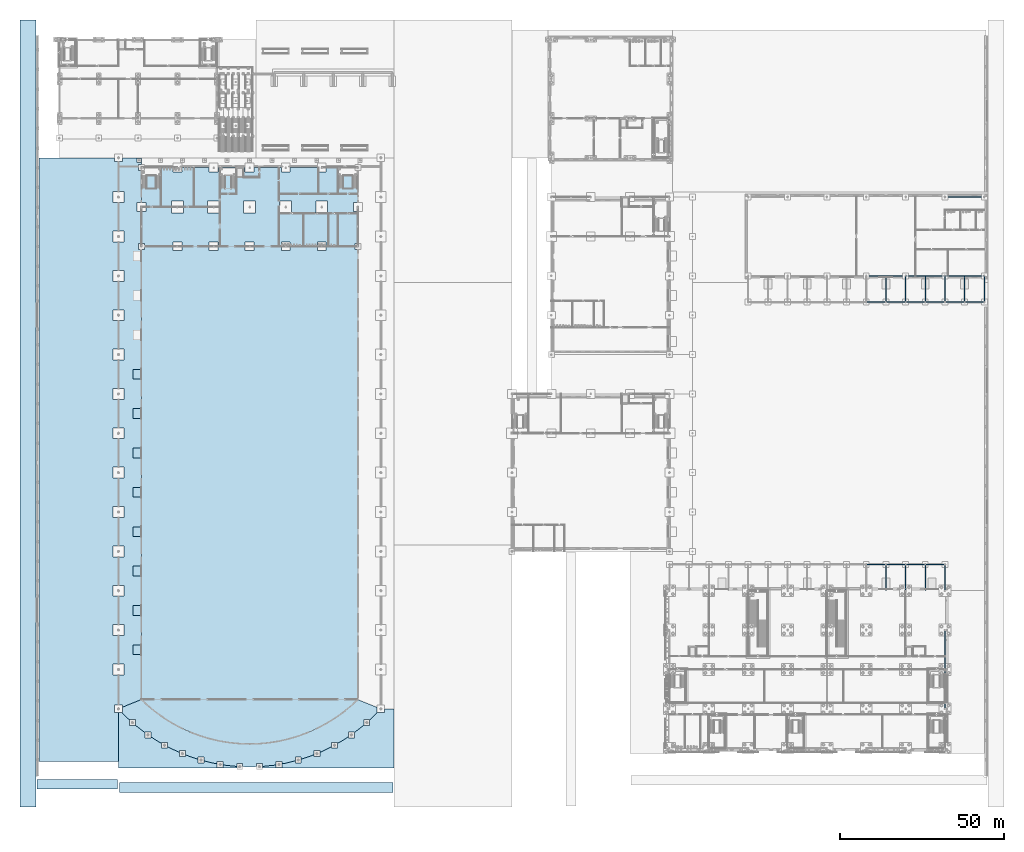
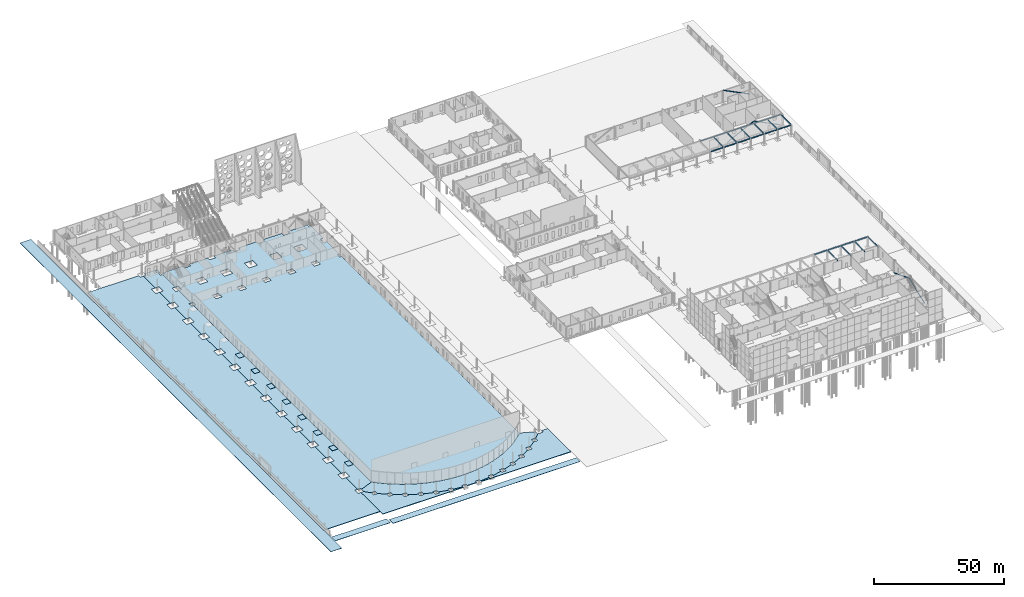
# One storey, part 54 of 132: 23 beams, 9 slabs, 8 plates, 5 members.
"""IFC4 building model written with IfcOpenShell, lengths in metres."""

from ifc_helpers import new_model, si_unit, direction, frame, origin, origin_2d, place, context, subcontext, project, spatial, polyline, rectangle, hollow_rectangle, i_section, outline, extrude, material, layer, layer_set, material_profile, profile_set, type_object, element, save


model = new_model("IFC4")

# Units and contexts
model_context = context("Model", 3, precision=1e-05, world=origin(), true_north=direction((0.0, 1.0)))
body_context = subcontext(model_context, "Body", "Model", "MODEL_VIEW")
ifc_project = project(units=[si_unit("LENGTHUNIT", "METRE"), si_unit("AREAUNIT", "SQUARE_METRE"), si_unit("VOLUMEUNIT", "CUBIC_METRE"), si_unit("PLANEANGLEUNIT", "RADIAN"), si_unit("MASSUNIT", "GRAM", prefix="KILO")], contexts=[model_context])

# Site, building, storey
site_placement = place(None, origin())
site = spatial("IfcSite", under=ifc_project, at=site_placement, CompositionType="ELEMENT")
building_placement = place(site_placement, origin())
building = spatial("IfcBuilding", under=site, at=building_placement, Name="Ravi Spectrum Wholesale Market", CompositionType="ELEMENT")
storey_placement = place(building_placement, origin())
storey = spatial("IfcBuildingStorey", under=building, at=storey_placement, Name="L00", CompositionType="ELEMENT", Elevation=0.0)

# Beams
ifc_material_1 = material(Name="Steel S355", Category="steel")
ifc_material_profile_1 = material_profile(ifc_material_1, i_section(OverallWidth=0.169921875, OverallDepth=0.360107421875, WebThickness=0.008056640625, FlangeThickness=0.0126953125, at=origin_2d()))
ifc_profile_set_1 = profile_set([ifc_material_profile_1], Name="Steel S355")
beam_type = type_object("IfcBeamType", Name="IPE 360 beam", PredefinedType="BEAM", material=ifc_profile_set_1)
beam_1_placement = place(storey_placement, frame((264.0, 66.10009765625, 4.800048828125), z_axis=(0.0, 1.0, 0.0), x_axis=(-1.0, 0.0, 0.0)))
element("IfcBeam", 1, at=beam_1_placement, inside=storey, type_object=beam_type, Name="CS-BM-L00-012", PredefinedType="BEAM", context=body_context, shape_type="SweptSolid", body=[
    extrude(i_section(OverallWidth=0.169921875, OverallDepth=0.360107421875, WebThickness=0.008056640625, FlangeThickness=0.0126953125, at=origin_2d()), origin(), (0.0, 0.0, 1.0), 7.72216796875),
])
beam_2_placement = place(storey_placement, frame((270.0, 66.169921875, 4.800048828125), z_axis=(0.0, 1.0, 0.0), x_axis=(-1.0, 0.0, 0.0)))
element("IfcBeam", 2, at=beam_2_placement, inside=storey, type_object=beam_type, Name="CS-BM-L00-013", PredefinedType="BEAM", context=body_context, shape_type="SweptSolid", body=[
    extrude(i_section(OverallWidth=0.169921875, OverallDepth=0.360107421875, WebThickness=0.008056640625, FlangeThickness=0.0126953125, at=origin_2d()), origin(), (0.0, 0.0, 1.0), 7.65234375),
])
beam_3_placement = place(storey_placement, frame((276.0, 66.10009765625, 4.800048828125), z_axis=(0.0, 1.0, 0.0), x_axis=(-1.0, 0.0, 0.0)))
element("IfcBeam", 3, at=beam_3_placement, inside=storey, type_object=beam_type, Name="CS-BM-L00-014", PredefinedType="BEAM", context=body_context, shape_type="SweptSolid", body=[
    extrude(i_section(OverallWidth=0.169921875, OverallDepth=0.360107421875, WebThickness=0.008056640625, FlangeThickness=0.0126953125, at=origin_2d()), origin(), (0.0, 0.0, 1.0), 7.72216796875),
])
beam_4_placement = place(storey_placement, frame((282.0, 66.169921875, 4.800048828125), z_axis=(0.0, 1.0, 0.0), x_axis=(-1.0, 0.0, 0.0)))
element("IfcBeam", 4, at=beam_4_placement, inside=storey, type_object=beam_type, Name="CS-BM-L00-015", PredefinedType="BEAM", context=body_context, shape_type="SweptSolid", body=[
    extrude(i_section(OverallWidth=0.169921875, OverallDepth=0.360107421875, WebThickness=0.008056640625, FlangeThickness=0.0126953125, at=origin_2d()), origin(), (0.0, 0.0, 1.0), 7.65234375),
])
for number, where, z_axis, x_axis, name in (
    (5, (258.177734375, 74.0, 4.800048828125), (1.0, 0.0, 0.0), (0.0, 1.0, 0.0), "CS-BM-L00-026"),
    (6, (264.177734375, 74.0, 4.800048828125), (1.0, 0.0, 0.0), (0.0, 1.0, 0.0), "CS-BM-L00-027"),
    (7, (270.177734375, 74.0, 4.800048828125), (1.0, 0.0, 0.0), (0.0, 1.0, 0.0), "CS-BM-L00-028"),
    (8, (276.177734375, 74.0, 4.800048828125), (1.0, 0.0, 0.0), (0.0, 1.0, 0.0), "CS-BM-L00-029"),
):
    element("IfcBeam", number, at=place(storey_placement, frame(where, z_axis=z_axis, x_axis=x_axis)), inside=storey, type_object=beam_type, Name=name, PredefinedType="BEAM", context=body_context, shape_type="SweptSolid", body=[
        extrude(i_section(OverallWidth=0.169921875, OverallDepth=0.360107421875, WebThickness=0.008056640625, FlangeThickness=0.0126953125, at=origin_2d()), origin(), (0.0, 0.0, 1.0), 5.64453125),
    ])
for number, where, z_axis, x_axis, name in (
    (9, (258.14990234375, 162.0, 4.800048828125), (1.0, 0.0, 0.0), (0.0, 1.0, 0.0), "GS-BM-L00-004"),
    (10, (270.14990234375, 162.0, 4.800048828125), (1.0, 0.0, 0.0), (0.0, 1.0, 0.0), "GS-BM-L00-005"),
    (11, (282.14990234375, 162.0, 4.800048828125), (1.0, 0.0, 0.0), (0.0, 1.0, 0.0), "GS-BM-L00-006"),
):
    element("IfcBeam", number, at=place(storey_placement, frame(where, z_axis=z_axis, x_axis=x_axis)), inside=storey, type_object=beam_type, Name=name, PredefinedType="BEAM", context=body_context, shape_type="SweptSolid", body=[
        extrude(i_section(OverallWidth=0.169921875, OverallDepth=0.360107421875, WebThickness=0.008056640625, FlangeThickness=0.0126953125, at=origin_2d()), origin(), (0.0, 0.0, 1.0), 11.7001953125),
    ])
beam_5_placement = place(storey_placement, frame((264.0, 161.9150390625, 4.800048828125), z_axis=(0.0, -1.0, 0.0), x_axis=(1.0, 0.0, 0.0)))
element("IfcBeam", 12, at=beam_5_placement, inside=storey, type_object=beam_type, Name="GS-BM-L00-014", PredefinedType="BEAM", context=body_context, shape_type="SweptSolid", body=[
    extrude(i_section(OverallWidth=0.169921875, OverallDepth=0.360107421875, WebThickness=0.008056640625, FlangeThickness=0.0126953125, at=origin_2d()), origin(), (0.0, 0.0, 1.0), 7.7373046875),
])
beam_6_placement = place(storey_placement, frame((270.0, 161.800048828125, 4.800048828125), z_axis=(0.0, -1.0, 0.0), x_axis=(1.0, 0.0, 0.0)))
element("IfcBeam", 13, at=beam_6_placement, inside=storey, type_object=beam_type, Name="GS-BM-L00-015", PredefinedType="BEAM", context=body_context, shape_type="SweptSolid", body=[
    extrude(i_section(OverallWidth=0.169921875, OverallDepth=0.360107421875, WebThickness=0.008056640625, FlangeThickness=0.0126953125, at=origin_2d()), origin(), (0.0, 0.0, 1.0), 7.622314453125),
])
beam_7_placement = place(storey_placement, frame((276.0, 161.9150390625, 4.800048828125), z_axis=(0.0, -1.0, 0.0), x_axis=(1.0, 0.0, 0.0)))
element("IfcBeam", 14, at=beam_7_placement, inside=storey, type_object=beam_type, Name="GS-BM-L00-016", PredefinedType="BEAM", context=body_context, shape_type="SweptSolid", body=[
    extrude(i_section(OverallWidth=0.169921875, OverallDepth=0.360107421875, WebThickness=0.008056640625, FlangeThickness=0.0126953125, at=origin_2d()), origin(), (0.0, 0.0, 1.0), 7.7373046875),
])
beam_8_placement = place(storey_placement, frame((282.0, 161.800048828125, 4.800048828125), z_axis=(0.0, -1.0, 0.0), x_axis=(1.0, 0.0, 0.0)))
element("IfcBeam", 15, at=beam_8_placement, inside=storey, type_object=beam_type, Name="GS-BM-L00-017", PredefinedType="BEAM", context=body_context, shape_type="SweptSolid", body=[
    extrude(i_section(OverallWidth=0.169921875, OverallDepth=0.360107421875, WebThickness=0.008056640625, FlangeThickness=0.0126953125, at=origin_2d()), origin(), (0.0, 0.0, 1.0), 7.622314453125),
])
beam_9_placement = place(storey_placement, frame((288.0, 161.9150390625, 4.800048828125), z_axis=(0.0, -1.0, 0.0), x_axis=(1.0, 0.0, 0.0)))
element("IfcBeam", 16, at=beam_9_placement, inside=storey, type_object=beam_type, Name="GS-BM-L00-018", PredefinedType="BEAM", context=body_context, shape_type="SweptSolid", body=[
    extrude(i_section(OverallWidth=0.169921875, OverallDepth=0.360107421875, WebThickness=0.008056640625, FlangeThickness=0.0126953125, at=origin_2d()), origin(), (0.0, 0.0, 1.0), 7.7373046875),
])
beam_10_placement = place(storey_placement, frame((294.0, 161.800048828125, 4.800048828125), z_axis=(0.0, -1.0, 0.0), x_axis=(1.0, 0.0, 0.0)))
element("IfcBeam", 17, at=beam_10_placement, inside=storey, type_object=beam_type, Name="GS-BM-L00-019", PredefinedType="BEAM", context=body_context, shape_type="SweptSolid", body=[
    extrude(i_section(OverallWidth=0.169921875, OverallDepth=0.360107421875, WebThickness=0.008056640625, FlangeThickness=0.0126953125, at=origin_2d()), origin(), (0.0, 0.0, 1.0), 7.622314453125),
])
for number, where, z_axis, x_axis, name in (
    (18, (258.177734375, 154.0, 4.800048828125), (1.0, 0.0, 0.0), (0.0, 1.0, 0.0), "GS-BM-L00-026"),
    (19, (264.177734375, 154.0, 4.800048828125), (1.0, 0.0, 0.0), (0.0, 1.0, 0.0), "GS-BM-L00-027"),
    (20, (270.177734375, 154.0, 4.800048828125), (1.0, 0.0, 0.0), (0.0, 1.0, 0.0), "GS-BM-L00-028"),
    (21, (276.177734375, 154.0, 4.800048828125), (1.0, 0.0, 0.0), (0.0, 1.0, 0.0), "GS-BM-L00-029"),
    (22, (282.177734375, 154.0, 4.800048828125), (1.0, 0.0, 0.0), (0.0, 1.0, 0.0), "GS-BM-L00-030"),
    (23, (288.177734375, 154.0, 4.800048828125), (1.0, 0.0, 0.0), (0.0, 1.0, 0.0), "GS-BM-L00-031"),
):
    element("IfcBeam", number, at=place(storey_placement, frame(where, z_axis=z_axis, x_axis=x_axis)), inside=storey, type_object=beam_type, Name=name, PredefinedType="BEAM", context=body_context, shape_type="SweptSolid", body=[
        extrude(i_section(OverallWidth=0.169921875, OverallDepth=0.360107421875, WebThickness=0.008056640625, FlangeThickness=0.0126953125, at=origin_2d()), origin(), (0.0, 0.0, 1.0), 5.64453125),
    ])

# Members
ifc_material_2 = material(Name="Steel S355", Category="steel")
ifc_material_profile_2 = material_profile(ifc_material_2, hollow_rectangle(XDim=0.199951171875, YDim=0.199951171875, WallThickness=0.008056640625, InnerFilletRadius=0.008056640625, OuterFilletRadius=0.01611328125, at=origin_2d()))
ifc_profile_set_2 = profile_set([ifc_material_profile_2], Name="Steel S355")
member_type = type_object("IfcMemberType", Name="SHS 200x200x8 brace", PredefinedType="BRACE", material=ifc_profile_set_2)
for number, where, z_axis, x_axis, name in (
    (24, (282.0, 30.206298828125, 0.09326171875), (0.0, 0.931801883882, 0.362967283916), (-1.0, 0.0, 0.0), "CS-MB-L00-011"),
    (25, (282.0, 42.206298828125, 4.60693359375), (0.0, 0.931801883882, -0.362967283916), (-1.0, 0.0, 0.0), "CS-MB-L00-012"),
):
    element("IfcMember", number, at=place(storey_placement, frame(where, z_axis=z_axis, x_axis=x_axis)), inside=storey, type_object=member_type, Name=name, PredefinedType="BRACE", context=body_context, shape_type="SweptSolid", body=[
        extrude(hollow_rectangle(XDim=0.199951171875, YDim=0.199951171875, WallThickness=0.008056640625, InnerFilletRadius=0.008056640625, OuterFilletRadius=0.01611328125, at=origin_2d()), origin(), (0.0, 0.0, 1.0), 12.435546875),
    ])
for number, where, z_axis, x_axis, name in (
    (26, (270.194580078125, 162.0, 0.089599609375), (0.895584196921, 0.0, 0.44489206132), (0.0, 1.0, 0.0), "GS-MB-L00-001"),
    (27, (282.194580078125, 162.0, 5.857421875), (0.895584196921, 0.0, -0.44489206132), (0.0, 1.0, 0.0), "GS-MB-L00-002"),
    (28, (282.194580078125, 186.0, 5.857421875), (0.895584196921, 0.0, -0.44489206132), (0.0, 1.0, 0.0), "GS-MB-L00-004"),
):
    element("IfcMember", number, at=place(storey_placement, frame(where, z_axis=z_axis, x_axis=x_axis)), inside=storey, type_object=member_type, Name=name, PredefinedType="BRACE", context=body_context, shape_type="SweptSolid", body=[
        extrude(hollow_rectangle(XDim=0.199951171875, YDim=0.199951171875, WallThickness=0.008056640625, InnerFilletRadius=0.008056640625, OuterFilletRadius=0.01611328125, at=origin_2d()), origin(), (0.0, 0.0, 1.0), 12.964599609375),
    ])

# Slabs
ifc_material_3 = material(Name="Clay paver")
ifc_layer_1 = layer(ifc_material_3, 0.1201171875)
ifc_layer_set_1 = layer_set([ifc_layer_1], Name="Clay paver")
slab_type_1 = type_object("IfcSlabType", Name="Clay paver on bedding 120", PredefinedType="BASESLAB", material=ifc_layer_set_1)
slab_1_placement = place(storey_placement, frame((0.0, 0.0, -0.1201171875)))
element("IfcSlab", 29, at=slab_1_placement, inside=storey, type_object=slab_type_1, Name="West Lane Footway Paving", PredefinedType="BASESLAB", context=body_context, shape_type="SweptSolid", body=[
    extrude(outline(polyline([(4.85009765625, 240.0), (0.0, 240.0), (0.0, 0.0), (4.85009765625, 0.0), (4.85009765625, 240.0)])), origin(), (0.0, 0.0, 1.0), 0.1201171875),
])
slab_2_placement = place(storey_placement, frame((0.0, 0.0, -0.1201171875)))
element("IfcSlab", 30, at=slab_2_placement, inside=storey, type_object=slab_type_1, Name="Garden walk paving", PredefinedType="BASESLAB", context=body_context, shape_type="SweptSolid", body=[
    extrude(outline(polyline([(30.300048828125, 7.5), (30.300048828125, 4.5), (113.699951171875, 4.5), (113.699951171875, 7.5), (30.300048828125, 7.5)])), origin(), (0.0, 0.0, 1.0), 0.1201171875),
])
slab_3_placement = place(storey_placement, frame((0.0, 0.0, -0.1201171875)))
element("IfcSlab", 31, at=slab_3_placement, inside=storey, type_object=slab_type_1, Name="Garden walk paving", PredefinedType="BASESLAB", context=body_context, shape_type="SweptSolid", body=[
    extrude(outline(polyline([(5.14990234375, 8.5), (5.14990234375, 5.5), (29.699951171875, 5.5), (29.699951171875, 8.5), (5.14990234375, 8.5)])), origin(), (0.0, 0.0, 1.0), 0.1201171875),
])
ifc_material_4 = material(Name="Concrete C30/37", Category="concrete")
ifc_layer_2 = layer(ifc_material_4, 0.25)
ifc_layer_set_2 = layer_set([ifc_layer_2], Name="Concrete C30/37")
slab_type_2 = type_object("IfcSlabType", Name="Concrete paving C30/37 250", PredefinedType="BASESLAB", material=ifc_layer_set_2)
slab_4_placement = place(storey_placement, frame((0.0, 0.0, -0.25)))
element("IfcSlab", 32, at=slab_4_placement, inside=storey, type_object=slab_type_2, Name="West Truck Apron", PredefinedType="BASESLAB", context=body_context, shape_type="SweptSolid", body=[
    extrude(outline(polyline([(28.35009765625, 175.64990234375), (30.0, 175.64990234375), (30.0, 184.35009765625), (28.35009765625, 184.35009765625), (28.35009765625, 187.64990234375), (30.0, 187.64990234375), (30.0, 196.800048828125), (28.800048828125, 196.800048828125), (28.800048828125, 198.0), (5.85009765625, 198.0), (5.85009765625, 14.0), (30.0, 14.0), (30.0, 28.800048828125), (28.800048828125, 28.800048828125), (28.800048828125, 31.199951171875), (30.0, 31.199951171875), (30.0, 40.35009765625), (28.35009765625, 40.35009765625), (28.35009765625, 43.64990234375), (30.0, 43.64990234375), (30.0, 52.35009765625), (28.35009765625, 52.35009765625), (28.35009765625, 55.64990234375), (30.0, 55.64990234375), (30.0, 64.35009765625), (28.35009765625, 64.35009765625), (28.35009765625, 67.64990234375), (30.0, 67.64990234375), (30.0, 76.35009765625), (28.35009765625, 76.35009765625), (28.35009765625, 79.64990234375), (30.0, 79.64990234375), (30.0, 88.35009765625), (28.35009765625, 88.35009765625), (28.35009765625, 91.64990234375), (30.0, 91.64990234375), (30.0, 100.35009765625), (28.35009765625, 100.35009765625), (28.35009765625, 103.64990234375), (30.0, 103.64990234375), (30.0, 112.35009765625), (28.35009765625, 112.35009765625), (28.35009765625, 115.64990234375), (30.0, 115.64990234375), (30.0, 124.35009765625), (28.35009765625, 124.35009765625), (28.35009765625, 127.64990234375), (30.0, 127.64990234375), (30.0, 136.35009765625), (28.35009765625, 136.35009765625), (28.35009765625, 139.64990234375), (30.0, 139.64990234375), (30.0, 148.35009765625), (28.35009765625, 148.35009765625), (28.35009765625, 151.64990234375), (30.0, 151.64990234375), (30.0, 160.35009765625), (28.35009765625, 160.35009765625), (28.35009765625, 163.64990234375), (30.0, 163.64990234375), (30.0, 172.35009765625), (28.35009765625, 172.35009765625), (28.35009765625, 175.64990234375)])), origin(), (0.0, 0.0, 1.0), 0.25),
])
slab_5_placement = place(storey_placement, frame((0.0, 0.0, -0.25)))
element("IfcSlab", 33, at=slab_5_placement, inside=storey, type_object=slab_type_2, Name="West Margin Paving", PredefinedType="BASESLAB", context=body_context, shape_type="SweptSolid", body=[
    extrude(outline(polyline([(32.6162109375, 27.309326171875), (31.166748046875, 28.800048828125), (30.0, 28.800048828125), (30.0, 12.0), (66.098388671875, 12.0), (66.098388671875, 12.4228515625), (62.5166015625, 12.7978515625), (61.9326171875, 12.900390625), (61.9326171875, 12.12646484375), (60.1328125, 12.12646484375), (60.1328125, 13.21630859375), (58.820068359375, 13.44677734375), (56.07763671875, 14.12744140625), (56.07763671875, 13.45068359375), (54.277587890625, 13.45068359375), (54.277587890625, 14.641845703125), (51.606689453125, 15.505859375), (50.40576171875, 15.98876953125), (50.40576171875, 15.4169921875), (48.605712890625, 15.4169921875), (48.605712890625, 16.71240234375), (48.124755859375, 16.906005859375), (44.9873046875, 18.4287109375), (44.9873046875, 18.000244140625), (43.187255859375, 18.000244140625), (43.187255859375, 19.44140625), (41.493896484375, 20.413818359375), (39.888916015625, 21.490478515625), (39.888916015625, 21.169189453125), (38.0888671875, 21.169189453125), (38.0888671875, 22.728515625), (35.4130859375, 24.806884765625), (35.173583984375, 25.02099609375), (35.173583984375, 24.884521484375), (33.37353515625, 24.884521484375), (33.37353515625, 26.631591796875), (32.6162109375, 27.309326171875)])), origin(), (0.0, 0.0, 1.0), 0.25),
])
slab_6_placement = place(storey_placement, frame((0.0, 0.0, -0.25)))
element("IfcSlab", 34, at=slab_6_placement, inside=storey, type_object=slab_type_2, Name="West Margin Paving", PredefinedType="BASESLAB", context=body_context, shape_type="SweptSolid", body=[
    extrude(outline(polyline([(88.393310546875, 15.505859375), (85.722412109375, 14.641845703125), (85.722412109375, 13.45068359375), (83.92236328125, 13.45068359375), (83.92236328125, 14.12744140625), (81.179931640625, 13.44677734375), (79.8671875, 13.21630859375), (79.8671875, 12.12646484375), (78.0673828125, 12.12646484375), (78.0673828125, 12.900390625), (77.4833984375, 12.7978515625), (73.901611328125, 12.4228515625), (73.901611328125, 12.0), (114.0, 12.0), (114.0, 30.0), (111.199951171875, 30.0), (111.199951171875, 28.800048828125), (108.833251953125, 28.800048828125), (107.3837890625, 27.309326171875), (106.62646484375, 26.631591796875), (106.62646484375, 24.884521484375), (104.826416015625, 24.884521484375), (104.826416015625, 25.02099609375), (104.5869140625, 24.806884765625), (101.9111328125, 22.728515625), (101.9111328125, 21.169189453125), (100.111083984375, 21.169189453125), (100.111083984375, 21.490478515625), (98.506103515625, 20.413818359375), (96.812744140625, 19.44140625), (96.812744140625, 18.000244140625), (95.0126953125, 18.000244140625), (95.0126953125, 18.4287109375), (91.875244140625, 16.906005859375), (91.394287109375, 16.71240234375), (91.394287109375, 15.4169921875), (89.59423828125, 15.4169921875), (89.59423828125, 15.98876953125), (88.393310546875, 15.505859375)])), origin(), (0.0, 0.0, 1.0), 0.25),
])

# Plates
ifc_material_5 = material(Name="Steel S355", Category="steel")
ifc_layer_3 = layer(ifc_material_5, 0.030029296875)
ifc_layer_set_3 = layer_set([ifc_layer_3], Name="Steel S355")
plate_type = type_object("IfcPlateType", Name="Dock leveller plate", PredefinedType="SHEET", material=ifc_layer_set_3)
for number, where, z_axis, x_axis, name in (
    (35, (35.6298828125, 48.0, 0.0), (0.0, 0.0, 1.0), (1.0, 0.0, 0.0), "H1-PL-L00-001"),
    (36, (35.6298828125, 60.0, 0.0), (0.0, 0.0, 1.0), (1.0, 0.0, 0.0), "H1-PL-L00-002"),
    (37, (35.6298828125, 72.0, 0.0), (0.0, 0.0, 1.0), (1.0, 0.0, 0.0), "H1-PL-L00-003"),
    (38, (35.6298828125, 84.0, 0.0), (0.0, 0.0, 1.0), (1.0, 0.0, 0.0), "H1-PL-L00-004"),
    (39, (35.6298828125, 96.0, 0.0), (0.0, 0.0, 1.0), (1.0, 0.0, 0.0), "H1-PL-L00-005"),
    (40, (35.6298828125, 108.0, 0.0), (0.0, 0.0, 1.0), (1.0, 0.0, 0.0), "H1-PL-L00-006"),
    (41, (35.6298828125, 120.0, 0.0), (0.0, 0.0, 1.0), (1.0, 0.0, 0.0), "H1-PL-L00-007"),
    (42, (35.6298828125, 132.0, 0.0), (0.0, 0.0, 1.0), (1.0, 0.0, 0.0), "H1-PL-L00-008"),
):
    element("IfcPlate", number, at=place(storey_placement, frame(where, z_axis=z_axis, x_axis=x_axis)), inside=storey, type_object=plate_type, Name=name, PredefinedType="SHEET", context=body_context, shape_type="SweptSolid", body=[
        extrude(rectangle(XDim=2.39990234375, YDim=3.0, at=origin_2d()), origin(), (0.0, 0.0, 1.0), 0.030029296875),
    ])

# Slabs
ifc_material_6 = material(Name="Concrete C35/45", Category="concrete")
ifc_layer_4 = layer(ifc_material_6, 0.300048828125)
ifc_layer_set_4 = layer_set([ifc_layer_4], Name="Concrete C35/45")
slab_type_3 = type_object("IfcSlabType", Name="Ground slab 300", PredefinedType="BASESLAB", material=ifc_layer_set_4)
slab_7_placement = place(storey_placement, frame((0.0, 0.0, -0.300048828125)))
element("IfcSlab", 43, at=slab_7_placement, inside=storey, type_object=slab_type_3, Name="Produce Trading Hall floor", PredefinedType="BASESLAB", context=body_context, shape_type="SweptSolid", body=[
    extrude(outline(polyline([(103.0, 32.810302734375), (100.76123046875, 30.74169921875), (98.393310546875, 28.822509765625), (95.90576171875, 27.060791015625), (93.309326171875, 25.464111328125), (90.61474609375, 24.0390625), (87.833740234375, 22.79150390625), (84.9775390625, 21.72705078125), (82.058349609375, 20.849853515625), (79.08837890625, 20.163818359375), (76.080322265625, 19.671630859375), (73.046630859375, 19.37548828125), (70.0, 19.276611328125), (66.953369140625, 19.37548828125), (63.919677734375, 19.671630859375), (60.91162109375, 20.163818359375), (57.941650390625, 20.849853515625), (55.0224609375, 21.72705078125), (52.166259765625, 22.79150390625), (49.38525390625, 24.0390625), (46.690673828125, 25.464111328125), (44.09423828125, 27.060791015625), (41.606689453125, 28.822509765625), (39.23876953125, 30.74169921875), (37.0, 32.810302734375), (37.0, 170.10009765625), (37.89990234375, 170.10009765625), (37.89990234375, 171.89990234375), (37.0, 171.89990234375), (37.0, 181.64990234375), (38.35009765625, 181.64990234375), (38.35009765625, 184.35009765625), (37.0, 184.35009765625), (37.0, 194.10009765625), (37.89990234375, 194.10009765625), (37.89990234375, 195.0), (46.64990234375, 195.0), (46.64990234375, 193.64990234375), (49.35009765625, 193.64990234375), (49.35009765625, 195.0), (57.64990234375, 195.0), (57.64990234375, 193.64990234375), (60.35009765625, 193.64990234375), (60.35009765625, 195.0), (68.64990234375, 195.0), (68.64990234375, 193.64990234375), (71.35009765625, 193.64990234375), (71.35009765625, 195.0), (79.64990234375, 195.0), (79.64990234375, 193.64990234375), (82.35009765625, 193.64990234375), (82.35009765625, 195.0), (90.64990234375, 195.0), (90.64990234375, 193.64990234375), (93.35009765625, 193.64990234375), (93.35009765625, 195.0), (102.10009765625, 195.0), (102.10009765625, 194.10009765625), (103.0, 194.10009765625), (103.0, 184.35009765625), (101.64990234375, 184.35009765625), (101.64990234375, 181.64990234375), (103.0, 181.64990234375), (103.0, 171.89990234375), (102.10009765625, 171.89990234375), (102.10009765625, 170.10009765625), (103.0, 170.10009765625), (103.0, 32.810302734375)]), holes=[polyline([(49.35009765625, 169.64990234375), (49.35009765625, 172.35009765625), (46.64990234375, 172.35009765625), (46.64990234375, 169.64990234375), (49.35009765625, 169.64990234375)]), polyline([(60.35009765625, 169.64990234375), (60.35009765625, 172.35009765625), (57.64990234375, 172.35009765625), (57.64990234375, 169.64990234375), (60.35009765625, 169.64990234375)]), polyline([(46.199951171875, 181.199951171875), (49.800048828125, 181.199951171875), (49.800048828125, 184.800048828125), (46.199951171875, 184.800048828125), (46.199951171875, 181.199951171875)]), polyline([(60.800048828125, 181.199951171875), (60.800048828125, 184.800048828125), (57.199951171875, 184.800048828125), (57.199951171875, 181.199951171875), (60.800048828125, 181.199951171875)]), polyline([(71.800048828125, 181.199951171875), (71.800048828125, 184.800048828125), (68.199951171875, 184.800048828125), (68.199951171875, 181.199951171875), (71.800048828125, 181.199951171875)]), polyline([(71.35009765625, 169.64990234375), (71.35009765625, 172.35009765625), (68.64990234375, 172.35009765625), (68.64990234375, 169.64990234375), (71.35009765625, 169.64990234375)]), polyline([(82.35009765625, 169.64990234375), (82.35009765625, 172.35009765625), (79.64990234375, 172.35009765625), (79.64990234375, 169.64990234375), (82.35009765625, 169.64990234375)]), polyline([(90.64990234375, 169.64990234375), (93.35009765625, 169.64990234375), (93.35009765625, 172.35009765625), (90.64990234375, 172.35009765625), (90.64990234375, 169.64990234375)]), polyline([(82.800048828125, 181.199951171875), (82.800048828125, 184.800048828125), (79.199951171875, 184.800048828125), (79.199951171875, 181.199951171875), (82.800048828125, 181.199951171875)]), polyline([(90.199951171875, 181.199951171875), (93.800048828125, 181.199951171875), (93.800048828125, 184.800048828125), (90.199951171875, 184.800048828125), (90.199951171875, 181.199951171875)])]), origin(), (0.0, 0.0, 1.0), 0.300048828125),
])
ifc_material_7 = material(Name="Concrete C35/45", Category="concrete")
ifc_layer_5 = layer(ifc_material_7, 0.300048828125)
ifc_layer_set_5 = layer_set([ifc_layer_5], Name="Concrete C35/45")
slab_type_4 = type_object("IfcSlabType", Name="Paved ground slab 300", PredefinedType="FLOOR", material=ifc_layer_set_5)
slab_8_placement = place(storey_placement, frame((0.0, 0.0, -0.300048828125)))
element("IfcSlab", 44, at=slab_8_placement, inside=storey, type_object=slab_type_4, Name="Loading Dock west arcade slab", PredefinedType="FLOOR", context=body_context, shape_type="SweptSolid", body=[
    extrude(outline(polyline([(37.0, 32.810302734375), (31.199951171875, 30.481689453125), (31.199951171875, 31.199951171875), (30.0, 31.199951171875), (30.0, 40.35009765625), (31.64990234375, 40.35009765625), (31.64990234375, 43.64990234375), (30.0, 43.64990234375), (30.0, 52.35009765625), (31.64990234375, 52.35009765625), (31.64990234375, 55.64990234375), (30.0, 55.64990234375), (30.0, 64.35009765625), (31.64990234375, 64.35009765625), (31.64990234375, 67.64990234375), (30.0, 67.64990234375), (30.0, 76.35009765625), (31.64990234375, 76.35009765625), (31.64990234375, 79.64990234375), (30.0, 79.64990234375), (30.0, 88.35009765625), (31.64990234375, 88.35009765625), (31.64990234375, 91.64990234375), (30.0, 91.64990234375), (30.0, 100.35009765625), (31.64990234375, 100.35009765625), (31.64990234375, 103.64990234375), (30.0, 103.64990234375), (30.0, 112.35009765625), (31.64990234375, 112.35009765625), (31.64990234375, 115.64990234375), (30.0, 115.64990234375), (30.0, 124.35009765625), (31.64990234375, 124.35009765625), (31.64990234375, 127.64990234375), (30.0, 127.64990234375), (30.0, 136.35009765625), (31.64990234375, 136.35009765625), (31.64990234375, 139.64990234375), (30.0, 139.64990234375), (30.0, 148.35009765625), (31.64990234375, 148.35009765625), (31.64990234375, 151.64990234375), (30.0, 151.64990234375), (30.0, 160.35009765625), (31.64990234375, 160.35009765625), (31.64990234375, 163.64990234375), (30.0, 163.64990234375), (30.0, 172.35009765625), (31.64990234375, 172.35009765625), (31.64990234375, 175.64990234375), (30.0, 175.64990234375), (30.0, 184.35009765625), (31.64990234375, 184.35009765625), (31.64990234375, 187.64990234375), (30.0, 187.64990234375), (30.0, 196.800048828125), (31.199951171875, 196.800048828125), (31.199951171875, 198.0), (37.0, 198.0), (37.0, 195.89990234375), (36.10009765625, 195.89990234375), (36.10009765625, 194.10009765625), (37.0, 194.10009765625), (37.0, 184.35009765625), (35.64990234375, 184.35009765625), (35.64990234375, 181.64990234375), (37.0, 181.64990234375), (37.0, 171.89990234375), (36.10009765625, 171.89990234375), (36.10009765625, 170.10009765625), (37.0, 170.10009765625), (37.0, 32.810302734375)]), holes=[polyline([(35.702880859375, 196.60009765625), (36.90283203125, 196.60009765625), (36.90283203125, 197.800048828125), (35.702880859375, 197.800048828125), (35.702880859375, 196.60009765625)])]), origin(), (0.0, 0.0, 1.0), 0.300048828125),
])
slab_9_placement = place(storey_placement, frame((0.0, 0.0, -0.300048828125)))
element("IfcSlab", 45, at=slab_9_placement, inside=storey, type_object=slab_type_4, Name="Apse Arcade slab", PredefinedType="FLOOR", context=body_context, shape_type="SweptSolid", body=[
    extrude(outline(polyline([(32.6162109375, 27.309326171875), (31.166748046875, 28.800048828125), (31.199951171875, 28.800048828125), (31.199951171875, 30.481689453125), (37.0, 32.810302734375), (39.23876953125, 30.74169921875), (41.606689453125, 28.822509765625), (44.09423828125, 27.060791015625), (46.690673828125, 25.464111328125), (49.38525390625, 24.0390625), (52.166259765625, 22.79150390625), (55.0224609375, 21.72705078125), (57.941650390625, 20.849853515625), (60.91162109375, 20.163818359375), (63.919677734375, 19.671630859375), (66.953369140625, 19.37548828125), (70.0, 19.276611328125), (73.046630859375, 19.37548828125), (76.080322265625, 19.671630859375), (79.08837890625, 20.163818359375), (82.058349609375, 20.849853515625), (84.9775390625, 21.72705078125), (87.833740234375, 22.79150390625), (90.61474609375, 24.0390625), (93.309326171875, 25.464111328125), (95.90576171875, 27.060791015625), (98.393310546875, 28.822509765625), (100.76123046875, 30.74169921875), (103.0, 32.810302734375), (108.800048828125, 30.481689453125), (108.800048828125, 28.800048828125), (108.833251953125, 28.800048828125), (107.3837890625, 27.309326171875), (106.62646484375, 26.631591796875), (106.62646484375, 26.684326171875), (104.826416015625, 26.684326171875), (104.826416015625, 25.021240234375), (104.586669921875, 24.806884765625), (101.9111328125, 22.728515625), (101.9111328125, 22.96923828125), (100.111328125, 22.96923828125), (100.111328125, 21.490478515625), (98.506103515625, 20.413818359375), (96.812744140625, 19.44140625), (96.812744140625, 19.80029296875), (95.012939453125, 19.80029296875), (95.012939453125, 18.4287109375), (91.875244140625, 16.906005859375), (91.394287109375, 16.71240234375), (91.394287109375, 17.216796875), (89.59423828125, 17.216796875), (89.59423828125, 15.98876953125), (88.393310546875, 15.505859375), (85.722412109375, 14.641845703125), (85.722412109375, 15.250732421875), (83.92236328125, 15.250732421875), (83.92236328125, 14.12744140625), (81.179931640625, 13.44677734375), (79.867431640625, 13.21630859375), (79.867431640625, 13.926513671875), (78.0673828125, 13.926513671875), (78.0673828125, 12.900390625), (77.4833984375, 12.7978515625), (73.9013671875, 12.4228515625), (73.9013671875, 13.26025390625), (72.1015625, 13.26025390625), (72.1015625, 12.349853515625), (70.0, 12.276611328125), (67.8984375, 12.349853515625), (67.8984375, 13.26025390625), (66.0986328125, 13.26025390625), (66.0986328125, 12.4228515625), (62.5166015625, 12.7978515625), (61.9326171875, 12.900390625), (61.9326171875, 13.926513671875), (60.132568359375, 13.926513671875), (60.132568359375, 13.21630859375), (58.820068359375, 13.44677734375), (56.07763671875, 14.12744140625), (56.07763671875, 15.250732421875), (54.277587890625, 15.250732421875), (54.277587890625, 14.641845703125), (51.606689453125, 15.505859375), (50.40576171875, 15.98876953125), (50.40576171875, 17.216796875), (48.605712890625, 17.216796875), (48.605712890625, 16.71240234375), (48.124755859375, 16.906005859375), (44.987060546875, 18.4287109375), (44.987060546875, 19.80029296875), (43.187255859375, 19.80029296875), (43.187255859375, 19.44140625), (41.493896484375, 20.413818359375), (39.888671875, 21.490478515625), (39.888671875, 22.96923828125), (38.0888671875, 22.96923828125), (38.0888671875, 22.728515625), (35.413330078125, 24.806884765625), (35.173583984375, 25.021240234375), (35.173583984375, 26.684326171875), (33.37353515625, 26.684326171875), (33.37353515625, 26.631591796875), (32.6162109375, 27.309326171875)])), origin(), (0.0, 0.0, 1.0), 0.300048828125),
])

save(model, "model.ifc")
